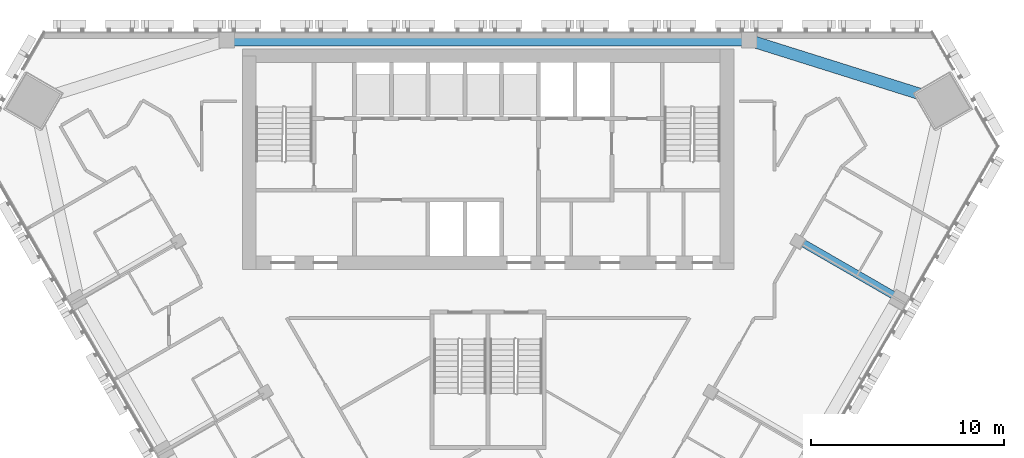
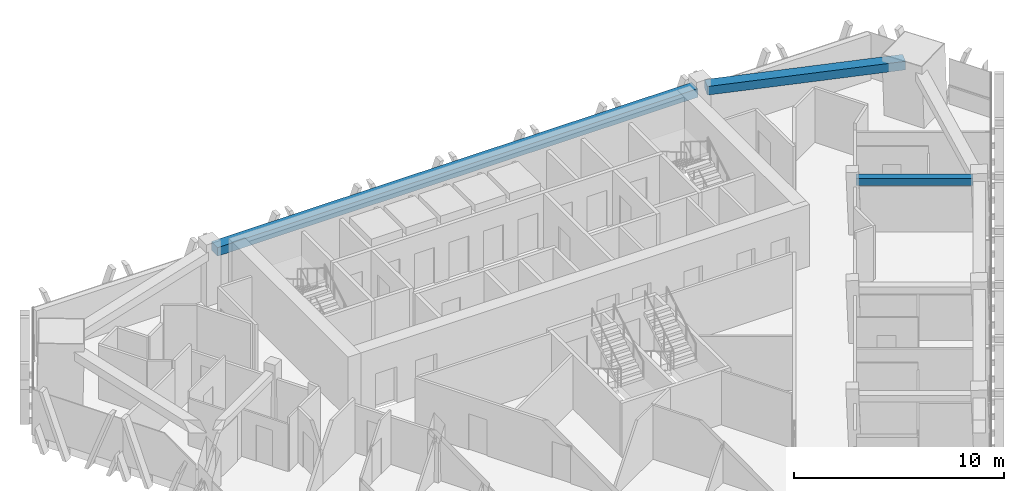
# One storey, part 6 of 16: 3 beams.
"""IFC4 building model written with IfcOpenShell, lengths in metres."""

from ifc_helpers import new_model, si_unit, direction, frame, origin, origin_2d, place, context, subcontext, project, spatial, rectangle, extrude, material, material_profile, profile_set, type_object, element, save


model = new_model("IFC4")

# Units and contexts
model_context = context("Model", 3, precision=1e-05, world=origin(), true_north=direction((0.0, 1.0)))
body_context = subcontext(model_context, "Body", "Model", "MODEL_VIEW")
ifc_project = project(units=[si_unit("LENGTHUNIT", "METRE"), si_unit("AREAUNIT", "SQUARE_METRE"), si_unit("VOLUMEUNIT", "CUBIC_METRE"), si_unit("PLANEANGLEUNIT", "RADIAN"), si_unit("MASSUNIT", "GRAM", prefix="KILO")], contexts=[model_context])

# Site, building, storey
site_placement = place(None, origin())
site = spatial("IfcSite", under=ifc_project, at=site_placement, CompositionType="ELEMENT")
building_placement = place(site_placement, origin())
building = spatial("IfcBuilding", under=site, at=building_placement, Name="Altiplano Prism Tower", CompositionType="ELEMENT")
storey_placement = place(building_placement, frame((0.0, 0.0, 174.60009765625)))
storey = spatial("IfcBuildingStorey", under=building, at=storey_placement, Name="L45", CompositionType="ELEMENT", Elevation=174.60009765625)

# Beams
ifc_material = material(Name="Concrete C60/75", Category="concrete")
ifc_material_profile_1 = material_profile(ifc_material, rectangle(XDim=0.60009765625, YDim=0.5, at=origin_2d()), Name="Edge beam 600x500")
ifc_profile_set_1 = profile_set([ifc_material_profile_1], Name="Concrete C60/75")
beam_type_1 = type_object("IfcBeamType", Name="Edge beam 600x500", PredefinedType="SPANDREL", material=ifc_profile_set_1)
beam_1_placement = place(storey_placement, frame((108.0234375, 101.5546875, 2.89990234375), z_axis=(-0.953928382041, 0.300034401255, 0.0), x_axis=(-0.300034401255, -0.953928382041, 0.0)))
element("IfcBeam", 1, at=beam_1_placement, inside=storey, type_object=beam_type_1, Name="Edge beam M2-P01 L46", PredefinedType="SPANDREL", context=body_context, shape_type="SweptSolid", body=[
    extrude(rectangle(XDim=0.60009765625, YDim=0.5, at=origin_2d()), origin(), (0.0, 0.0, 1.0), 9.683837890625),
])
beam_2_placement = place(storey_placement, frame((98.219970703125, 104.550048828125, 2.89990234375), z_axis=(-1.0, 0.0, 0.0), x_axis=(0.0, -1.0, 0.0)))
element("IfcBeam", 2, at=beam_2_placement, inside=storey, type_object=beam_type_1, Name="Edge beam P01-P04 L46", PredefinedType="SPANDREL", context=body_context, shape_type="SweptSolid", body=[
    extrude(rectangle(XDim=0.60009765625, YDim=0.5, at=origin_2d()), origin(), (0.0, 0.0, 1.0), 26.43994140625),
])
ifc_material_profile_2 = material_profile(ifc_material, rectangle(XDim=0.39990234375, YDim=0.39990234375, at=origin_2d()), Name="Tie beam 400x400")
ifc_profile_set_2 = profile_set([ifc_material_profile_2], Name="Concrete C60/75")
beam_type_2 = type_object("IfcBeamType", Name="Tie beam 400x400", PredefinedType="BEAM", material=ifc_profile_set_2)
beam_3_placement = place(storey_placement, frame((101.103759765625, 94.170166015625, 2.949951171875), z_axis=(0.866030670444, -0.499990877767, 0.0), x_axis=(0.499990877767, 0.866030670444, 0.0)))
element("IfcBeam", 3, at=beam_3_placement, inside=storey, type_object=beam_type_2, Name="Tie beam I24 L46", PredefinedType="BEAM", context=body_context, shape_type="SweptSolid", body=[
    extrude(rectangle(XDim=0.39990234375, YDim=0.39990234375, at=origin_2d()), origin(), (0.0, 0.0, 1.0), 5.58984375),
])

save(model, "model.ifc")
